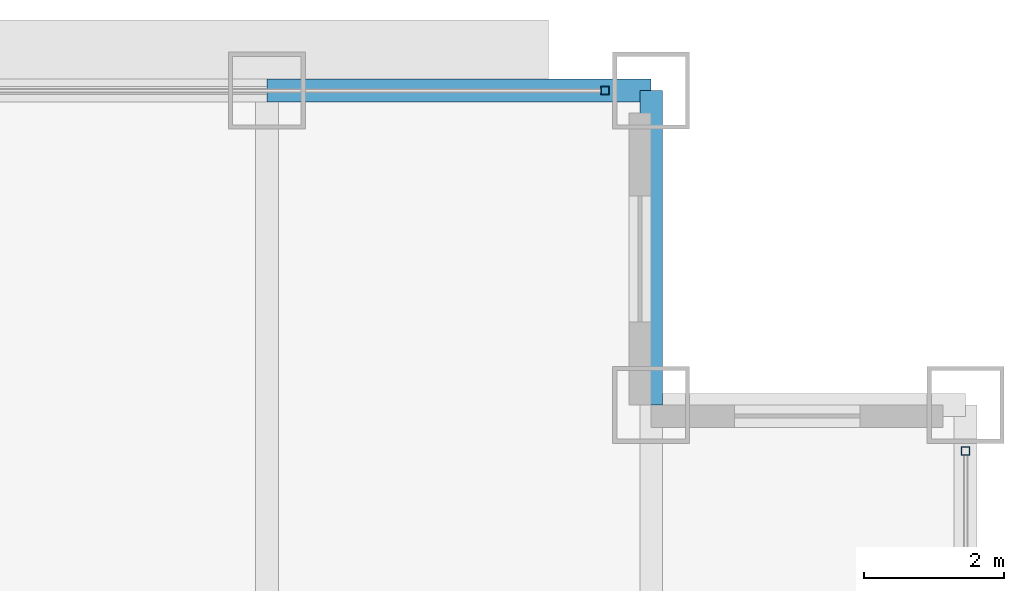
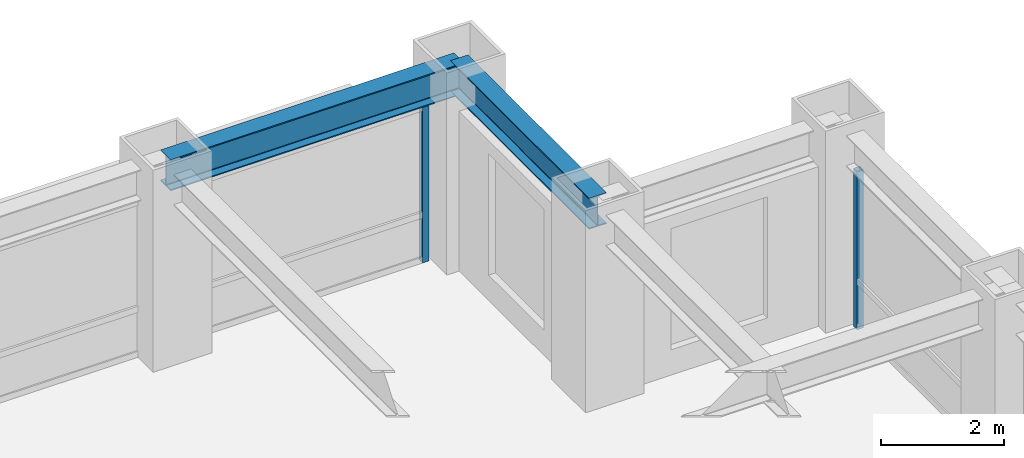
# One storey, part 18 of 28: 2 beams, 2 members, 2 elements without a shape of their own.
"""IFC4 building model written with IfcOpenShell, lengths in metres."""

from ifc_helpers import new_model, si_unit, direction, frame, origin, origin_2d, place, context, subcontext, project, spatial, hollow_rectangle, i_section, extrude, source, transform, mapped, material, material_profile, profile_set, type_object, element, aggregate, save


model = new_model("IFC4")

# Units and contexts
model_context = context("Model", 3, precision=1e-05, world=origin(), true_north=direction((0.0, 1.0)))
body_context = subcontext(model_context, "Body", "Model", "MODEL_VIEW")
ifc_project = project(units=[si_unit("LENGTHUNIT", "METRE"), si_unit("AREAUNIT", "SQUARE_METRE"), si_unit("VOLUMEUNIT", "CUBIC_METRE"), si_unit("PLANEANGLEUNIT", "RADIAN"), si_unit("MASSUNIT", "GRAM", prefix="KILO")], contexts=[model_context])

# Site, building, storey
site_placement = place(None, origin())
site = spatial("IfcSite", under=ifc_project, at=site_placement, CompositionType="ELEMENT")
building_placement = place(site_placement, origin())
building = spatial("IfcBuilding", under=site, at=building_placement, Name="Khorayat Bourse Tower", CompositionType="ELEMENT")
storey_placement = place(building_placement, frame((0.0, 0.0, 191.10009765625)))
storey = spatial("IfcBuildingStorey", under=building, at=storey_placement, Name="L44", CompositionType="ELEMENT", Elevation=191.10009765625)

# Beams
ifc_material_1 = material(Name="Steel ASTM A992 Grade 50", Category="steel")
ifc_material_profile_1 = material_profile(ifc_material_1, i_section(OverallWidth=0.324951171875, OverallDepth=0.615966796875, WebThickness=0.013916015625, FlangeThickness=0.021484375, FilletRadius=0.01611328125, at=origin_2d()), Name="W610X174")
ifc_profile_set_1 = profile_set([ifc_material_profile_1], Name="Steel ASTM A992 Grade 50")
beam_type = type_object("IfcBeamType", Name="BM-SPAN-610", PredefinedType="SPANDREL", material=ifc_profile_set_1)
shared_shape_1 = source(origin(), body_context, "Body", "SweptSolid", [
    extrude(i_section(OverallWidth=0.324951171875, OverallDepth=0.615966796875, WebThickness=0.013916015625, FlangeThickness=0.021484375, FilletRadius=0.01611328125, at=origin_2d()), origin(), (0.0, 0.0, 1.0), 5.5),
])
beam_1_placement = place(storey_placement, frame((20.0, 30.0, 3.471923828125), z_axis=(1.0, 0.0, 0.0), x_axis=(0.0, 1.0, 0.0)))
element("IfcBeam", 1, at=beam_1_placement, inside=storey, type_object=beam_type, Name="L44 BM-SPAN-610 BM-L44-SPN-044", PredefinedType="SPANDREL", context=body_context, shape_type="MappedRepresentation", body=[
    mapped(shared_shape_1, transform((0.0, 0.0, 0.0), scale=1.0)),
])
shared_shape_2 = source(origin(), body_context, "Body", "SweptSolid", [
    extrude(i_section(OverallWidth=0.324951171875, OverallDepth=0.615966796875, WebThickness=0.013916015625, FlangeThickness=0.021484375, FilletRadius=0.01611328125, at=origin_2d()), origin(), (0.0, 0.0, 1.0), 4.5),
])
beam_2_placement = place(storey_placement, frame((25.5, 25.5, 3.471923828125), z_axis=(0.0, 1.0, 0.0), x_axis=(-1.0, 0.0, 0.0)))
element("IfcBeam", 2, at=beam_2_placement, inside=storey, type_object=beam_type, Name="L44 BM-SPAN-610 BM-L44-SPN-043", PredefinedType="SPANDREL", context=body_context, shape_type="MappedRepresentation", body=[
    mapped(shared_shape_2, transform((0.0, 0.0, 0.0), scale=1.0)),
])

# Curtain wall, member
ifc_material_2 = material(Name="Aluminium EN AW-6063 T6", Category="aluminium")
curtain_wall_type = type_object("IfcCurtainWallType", Name="CW-SYS-03", PredefinedType="NOTDEFINED", material=ifc_material_2)
curtain_wall_1_placement = place(storey_placement, origin())
curtain_wall_1 = element("IfcCurtainWall", 3, at=curtain_wall_1_placement, inside=storey, type_object=curtain_wall_type, Name="L44 Curtain Wall CW-L44-N1", PredefinedType="NOTDEFINED")
ifc_material_profile_2 = material_profile(ifc_material_2, hollow_rectangle(XDim=0.1201171875, YDim=0.1201171875, WallThickness=0.0048828125, at=origin_2d()), Name="ALU 120x120x5")
ifc_profile_set_2 = profile_set([ifc_material_profile_2], Name="Aluminium EN AW-6063 T6")
member_type = type_object("IfcMemberType", Name="CWM-VERT-120", PredefinedType="MULLION", material=ifc_profile_set_2)
shared_shape_3 = source(origin(), body_context, "Body", "SweptSolid", [
    extrude(hollow_rectangle(XDim=0.1201171875, YDim=0.1201171875, WallThickness=0.0048828125, at=origin_2d()), origin(), (0.0, 0.0, 1.0), 3.1298828125),
])
member_1_placement = place(storey_placement, frame((24.840087890625, 30.0, 0.0), z_axis=(0.0, 0.0, 1.0), x_axis=(0.0, 1.0, 0.0)))
member_1 = element("IfcMember", 4, at=member_1_placement, type_object=member_type, Name="CW-L44-N1 Vertical Mullion 3", PredefinedType="MULLION", context=body_context, shape_type="MappedRepresentation", body=[
    mapped(shared_shape_3, transform((0.0, 0.0, 0.0), scale=1.0)),
])
aggregate(curtain_wall_1, [member_1])

curtain_wall_2_placement = place(storey_placement, origin())
curtain_wall_2 = element("IfcCurtainWall", 5, at=curtain_wall_2_placement, inside=storey, type_object=curtain_wall_type, Name="L44 Curtain Wall CW-L44-E1", PredefinedType="NOTDEFINED")
member_2_placement = place(storey_placement, frame((30.0, 24.840087890625, 0.0), z_axis=(0.0, 0.0, 1.0), x_axis=(-1.0, 0.0, 0.0)))
member_2 = element("IfcMember", 6, at=member_2_placement, type_object=member_type, Name="CW-L44-E1 Vertical Mullion 3", PredefinedType="MULLION", context=body_context, shape_type="MappedRepresentation", body=[
    mapped(shared_shape_3, transform((0.0, 0.0, 0.0), scale=1.0)),
])
aggregate(curtain_wall_2, [member_2])

save(model, "model.ifc")
